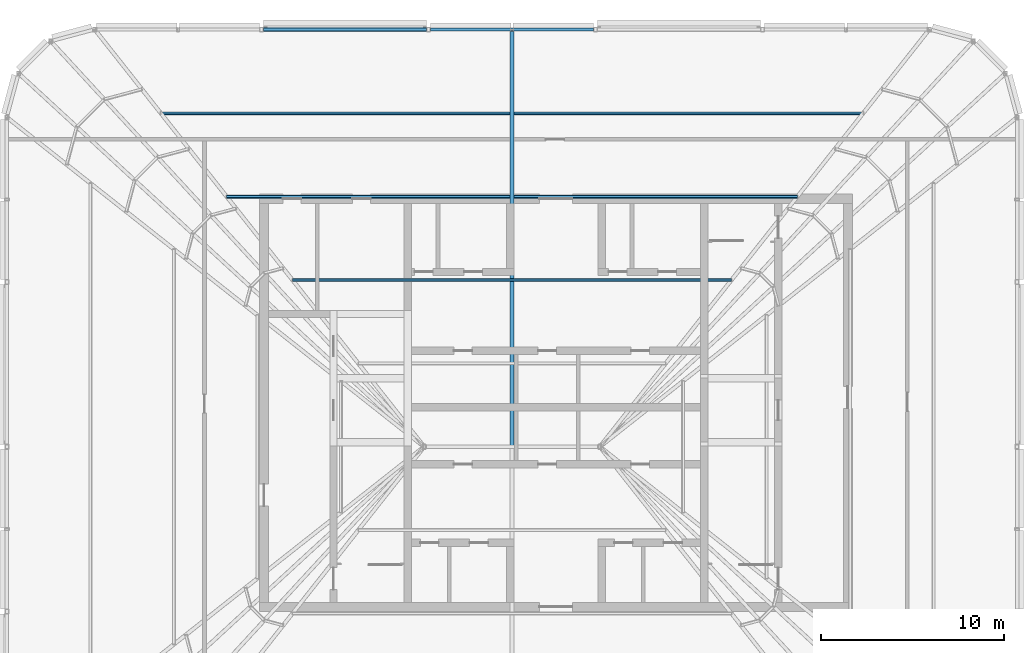
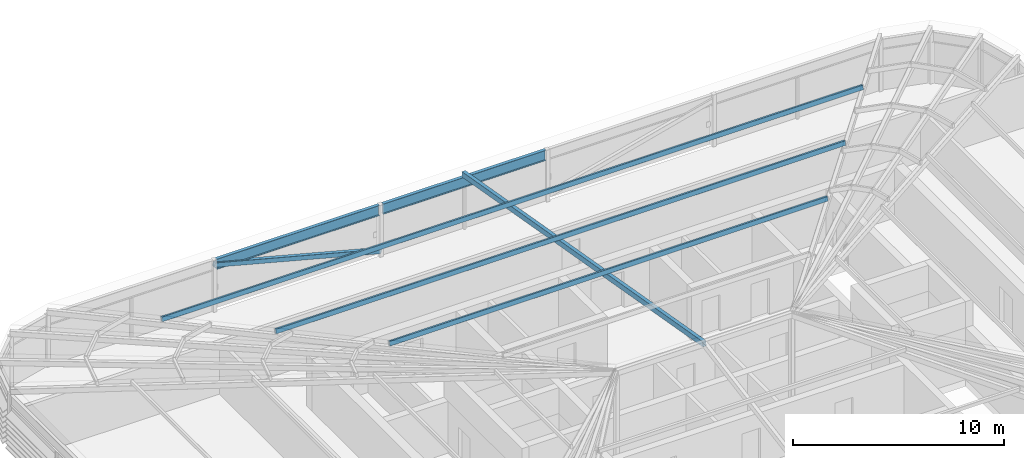
# One storey, part 17 of 46: 5 members, 2 beams.
"""IFC4 building model written with IfcOpenShell, lengths in metres."""

from ifc_helpers import new_model, si_unit, direction, frame, origin, origin_2d, place, context, subcontext, project, spatial, hollow_rectangle, i_section, extrude, material, material_profile, profile_set, type_object, element, save


model = new_model("IFC4")

# Units and contexts
model_context = context("Model", 3, precision=1e-05, world=origin(), true_north=direction((0.0, 1.0)))
body_context = subcontext(model_context, "Body", "Model", "MODEL_VIEW")
ifc_project = project(units=[si_unit("LENGTHUNIT", "METRE"), si_unit("AREAUNIT", "SQUARE_METRE"), si_unit("VOLUMEUNIT", "CUBIC_METRE"), si_unit("PLANEANGLEUNIT", "RADIAN"), si_unit("MASSUNIT", "GRAM", prefix="KILO")], contexts=[model_context])

# Site, building, storey
site_placement = place(None, origin())
site = spatial("IfcSite", under=ifc_project, at=site_placement, CompositionType="ELEMENT")
building_placement = place(site_placement, origin())
building = spatial("IfcBuilding", under=site, at=building_placement, Name="Madar Terraces", CompositionType="ELEMENT")
storey_placement = place(building_placement, frame((0.0, 0.0, 317.300048828125)))
storey = spatial("IfcBuildingStorey", under=building, at=storey_placement, Name="L82", CompositionType="ELEMENT", Elevation=317.300048828125)

# Beams
ifc_material_1 = material(Name="Steel ASTM A992 Grade 50", Category="steel")
ifc_material_profile_1 = material_profile(ifc_material_1, i_section(OverallWidth=0.1787109375, OverallDepth=0.60205078125, WebThickness=0.010986328125, FlangeThickness=0.014892578125, at=origin_2d()), Name="W24x62")
ifc_profile_set_1 = profile_set([ifc_material_profile_1], Name="Steel ASTM A992 Grade 50")
beam_type = type_object("IfcBeamType", Name="CF2 W24x62", PredefinedType="BEAM", material=ifc_profile_set_1)
for number, where, z_axis, x_axis, name in (
    (1, (33.25830078125, 46.800048828125, 2.698974609375), (-1.0, 0.0, 0.0), (0.0, -1.0, 0.0), "Crown frame ring beam CF2"),
    (2, (24.138427734375, 46.800048828125, 2.698974609375), (-1.0, 0.0, 0.0), (0.0, -1.0, 0.0), "Crown frame ring beam CF2"),
):
    element("IfcBeam", number, at=place(storey_placement, frame(where, z_axis=z_axis, x_axis=x_axis)), inside=storey, type_object=beam_type, Name=name, PredefinedType="BEAM", context=body_context, shape_type="SweptSolid", body=[
        extrude(i_section(OverallWidth=0.1787109375, OverallDepth=0.60205078125, WebThickness=0.010986328125, FlangeThickness=0.014892578125, at=origin_2d()), origin(), (0.0, 0.0, 1.0), 8.916748046875),
    ])

# Members
ifc_material_2 = material(Name="Steel ASTM A500 Grade C", Category="steel")
ifc_material_profile_2 = material_profile(ifc_material_2, hollow_rectangle(XDim=0.203125, YDim=0.3046875, WallThickness=0.00634765625, InnerFilletRadius=0.0029296875, OuterFilletRadius=0.0087890625, at=origin_2d()), Name="HSS12x8x.25")
ifc_profile_set_2 = profile_set([ifc_material_profile_2], Name="Steel ASTM A500 Grade C")
member_type_1 = type_object("IfcMemberType", Name="CF3 HSS12x8x.25", PredefinedType="RAFTER", material=ifc_profile_set_2)
member_1_placement = place(storey_placement, frame((28.800048828125, 46.773681640625, 3.150146484375), z_axis=(0.0, -0.984957087631, 0.172799118994), x_axis=(1.0, 0.0, 0.0)))
element("IfcMember", 3, at=member_1_placement, inside=storey, type_object=member_type_1, Name="Crown frame rafter N1", PredefinedType="RAFTER", context=body_context, shape_type="SweptSolid", body=[
    extrude(hollow_rectangle(XDim=0.203125, YDim=0.3046875, WallThickness=0.00634765625, InnerFilletRadius=0.0029296875, OuterFilletRadius=0.0087890625, at=origin_2d()), origin(), (0.0, 0.0, 1.0), 23.148193359375),
])
ifc_material_3 = material(Name="Steel ASTM A500 Grade C", Category="steel")
ifc_material_profile_3 = material_profile(ifc_material_3, hollow_rectangle(XDim=0.126953125, YDim=0.25390625, WallThickness=0.00634765625, InnerFilletRadius=0.0029296875, OuterFilletRadius=0.0087890625, at=origin_2d()), Name="HSS10x5x.25")
ifc_profile_set_3 = profile_set([ifc_material_profile_3], Name="Steel ASTM A500 Grade C")
member_type_2 = type_object("IfcMemberType", Name="CF4 HSS10x5x.25", PredefinedType="PURLIN", material=ifc_profile_set_3)
member_2_placement = place(storey_placement, frame((48.0, 42.218017578125, 4.22900390625), z_axis=(-1.0, 0.0, 0.0), x_axis=(0.0, -0.984957023705, 0.172799483372)))
element("IfcMember", 4, at=member_2_placement, inside=storey, type_object=member_type_2, Name="Crown frame purlin 5", PredefinedType="PURLIN", context=body_context, shape_type="SweptSolid", body=[
    extrude(hollow_rectangle(XDim=0.126953125, YDim=0.25390625, WallThickness=0.00634765625, InnerFilletRadius=0.0029296875, OuterFilletRadius=0.0087890625, at=origin_2d()), origin(), (0.0, 0.0, 1.0), 38.39990234375),
])
member_3_placement = place(storey_placement, frame((44.39990234375, 37.657958984375, 5.029052734375), z_axis=(-1.0, 0.0, 0.0), x_axis=(0.0, -0.984957023705, 0.172799483372)))
element("IfcMember", 5, at=member_3_placement, inside=storey, type_object=member_type_2, Name="Crown frame purlin 6", PredefinedType="PURLIN", context=body_context, shape_type="SweptSolid", body=[
    extrude(hollow_rectangle(XDim=0.126953125, YDim=0.25390625, WallThickness=0.00634765625, InnerFilletRadius=0.0029296875, OuterFilletRadius=0.0087890625, at=origin_2d()), origin(), (0.0, 0.0, 1.0), 31.199951171875),
])
member_4_placement = place(storey_placement, frame((40.800048828125, 33.09814453125, 5.8291015625), z_axis=(-1.0, 0.0, 0.0), x_axis=(0.0, -0.984957023705, 0.172799483372)))
element("IfcMember", 6, at=member_4_placement, inside=storey, type_object=member_type_2, Name="Crown frame purlin 7", PredefinedType="PURLIN", context=body_context, shape_type="SweptSolid", body=[
    extrude(hollow_rectangle(XDim=0.126953125, YDim=0.25390625, WallThickness=0.00634765625, InnerFilletRadius=0.0029296875, OuterFilletRadius=0.0087890625, at=origin_2d()), origin(), (0.0, 0.0, 1.0), 24.0),
])
ifc_material_4 = material(Name="Steel ASTM A500 Grade C", Category="steel")
ifc_material_profile_4 = material_profile(ifc_material_4, hollow_rectangle(XDim=0.203125, YDim=0.25390625, WallThickness=0.009521484375, InnerFilletRadius=0.00439453125, OuterFilletRadius=0.01318359375, at=origin_2d()), Name="HSS10x8x.375")
ifc_profile_set_4 = profile_set([ifc_material_profile_4], Name="Steel ASTM A500 Grade C")
member_type_3 = type_object("IfcMemberType", Name="CF5 crown frame brace HSS10x8x.375", PredefinedType="BRACE", material=ifc_profile_set_4)
member_5_placement = place(storey_placement, frame((24.239990234375, 46.800048828125, 0.300048828125), z_axis=(-0.967101695591, 0.0, 0.254390075248), x_axis=(0.0, -1.0, 0.0)))
element("IfcMember", 7, at=member_5_placement, inside=storey, type_object=member_type_3, Name="Crown frame brace CF5", PredefinedType="BRACE", context=body_context, shape_type="SweptSolid", body=[
    extrude(hollow_rectangle(XDim=0.203125, YDim=0.25390625, WallThickness=0.009521484375, InnerFilletRadius=0.00439453125, OuterFilletRadius=0.01318359375, at=origin_2d()), origin(), (0.0, 0.0, 1.0), 9.43017578125),
])

save(model, "model.ifc")
